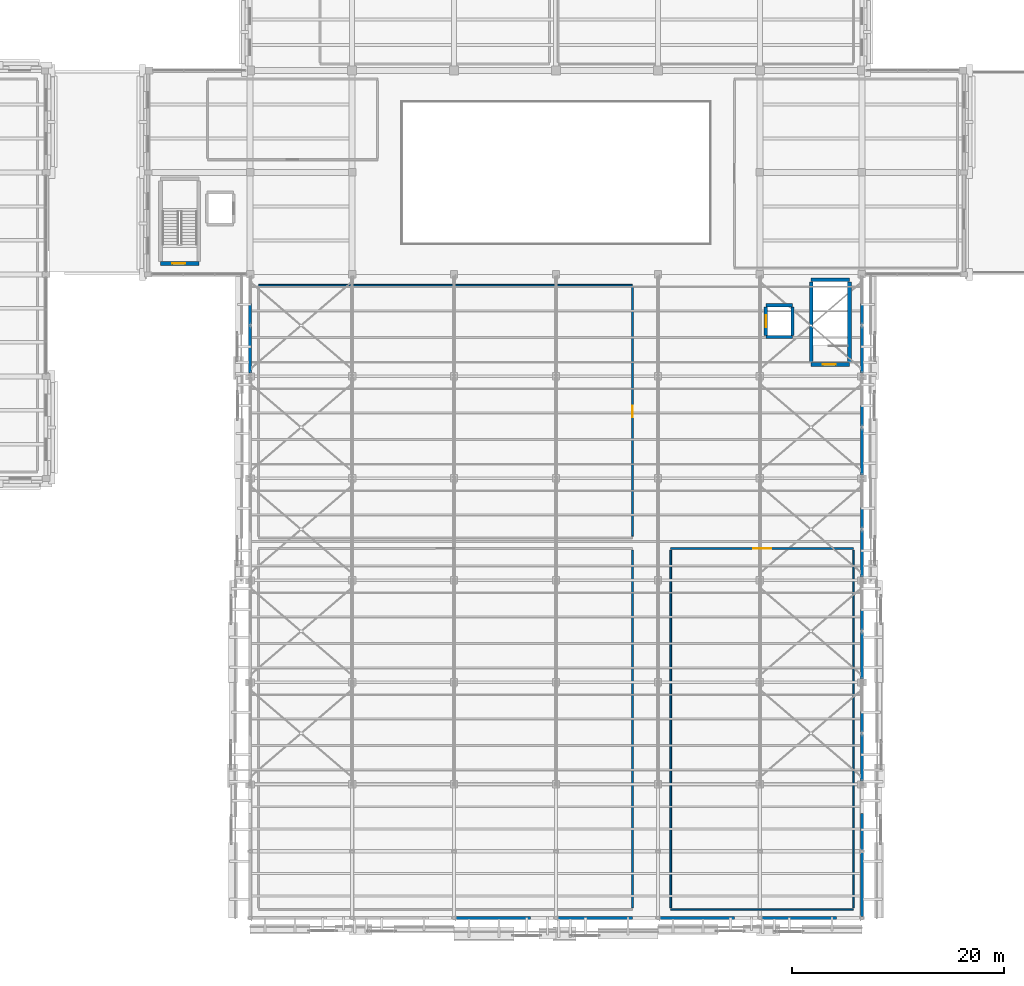
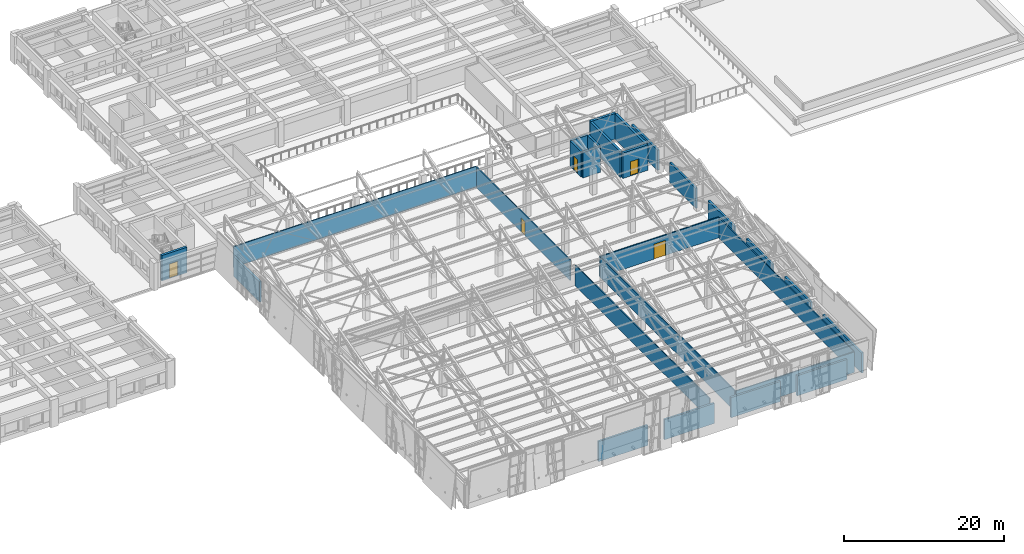
# One storey, part 56 of 71: 27 walls, 5 doors, 5 openings.
"""IFC4 building model written with IfcOpenShell, lengths in metres."""

from ifc_helpers import new_model, si_unit, direction, frame, frame_2d, origin, place, context, subcontext, project, spatial, rectangle, extrude, material, layer, layer_set, type_object, element, fill, save


model = new_model("IFC4")

# Units and contexts
model_context = context("Model", 3, precision=1e-05, world=origin(), true_north=direction((0.0, 1.0)))
body_context = subcontext(model_context, "Body", "Model", "MODEL_VIEW")
ifc_project = project(units=[si_unit("LENGTHUNIT", "METRE"), si_unit("AREAUNIT", "SQUARE_METRE"), si_unit("VOLUMEUNIT", "CUBIC_METRE"), si_unit("PLANEANGLEUNIT", "RADIAN"), si_unit("MASSUNIT", "GRAM", prefix="KILO")], contexts=[model_context])

# Site, building, storey
site_placement = place(None, origin())
site = spatial("IfcSite", under=ifc_project, at=site_placement, CompositionType="ELEMENT")
building_placement = place(site_placement, origin())
building = spatial("IfcBuilding", under=site, at=building_placement, Name="Bempovik Park Faculty of Sciences", CompositionType="ELEMENT")
storey_placement = place(building_placement, frame((0.0, 0.0, 14.10009765625)))
storey = spatial("IfcBuildingStorey", under=building, at=storey_placement, Name="L03", CompositionType="ELEMENT", Elevation=14.10009765625)

# Walls
ifc_material_1 = material(Name="Precast concrete C40/50", Category="concrete")
ifc_layer_1 = layer(ifc_material_1, 0.280029296875)
ifc_layer_set_1 = layer_set([ifc_layer_1], Name="Precast concrete C40/50")
wall_type_1 = type_object("IfcWallType", Name="W-25 Wall 280mm", PredefinedType="SOLIDWALL", material=ifc_layer_set_1)
wall_1_placement = place(storey_placement, frame((117.60009765625, 7.344970703125, 0.0), z_axis=(0.0, 0.0, 1.0), x_axis=(0.0, 1.0, 0.0)))
element("IfcWall", 1, at=wall_1_placement, inside=storey, type_object=wall_type_1, Name="L03 Crystal Backup Wall EW-CRYS-L03-8676", PredefinedType="SOLIDWALL", context=body_context, shape_type="SweptSolid", body=[
    extrude(rectangle(XDim=9.72412109375, YDim=0.280029296875, at=frame_2d((4.862060546875, 0.0))), origin(), (0.0, 0.0, 1.0), 3.079833984375),
])
for number, where, z_axis, x_axis, name in (
    (2, (117.60009765625, 20.126953125, 0.0), (0.0, 0.0, 1.0), (0.0, 1.0, 0.0), "L03 Crystal Backup Wall EW-CRYS-L03-8701"),
    (3, (117.60009765625, 29.72705078125, 0.0), (0.0, 0.0, 1.0), (0.0, 1.0, 0.0), "L03 Crystal Backup Wall EW-CRYS-L03-8726"),
    (4, (117.60009765625, 39.326904296875, 0.0), (0.0, 0.0, 1.0), (0.0, 1.0, 0.0), "L03 Crystal Backup Wall EW-CRYS-L03-8751"),
    (5, (117.60009765625, 48.927001953125, 0.0), (0.0, 0.0, 1.0), (0.0, 1.0, 0.0), "L03 Crystal Backup Wall EW-CRYS-L03-8776"),
):
    element("IfcWall", number, at=place(storey_placement, frame(where, z_axis=z_axis, x_axis=x_axis)), inside=storey, type_object=wall_type_1, Name=name, PredefinedType="SOLIDWALL", context=body_context, shape_type="SweptSolid", body=[
        extrude(rectangle(XDim=6.5419921875, YDim=0.280029296875, at=frame_2d((3.27099609375, 0.0))), origin(), (0.0, 0.0, 1.0), 3.079833984375),
    ])
wall_2_placement = place(storey_placement, frame((117.60009765625, 58.527099609375, 0.0), z_axis=(0.0, 0.0, 1.0), x_axis=(0.0, 1.0, 0.0)))
element("IfcWall", 6, at=wall_2_placement, inside=storey, type_object=wall_type_1, Name="L03 Crystal Backup Wall EW-CRYS-L03-8801", PredefinedType="SOLIDWALL", context=body_context, shape_type="SweptSolid", body=[
    extrude(rectangle(XDim=6.516845703125, YDim=0.280029296875, at=frame_2d((3.25830078125, 0.0))), origin(), (0.0, 0.0, 1.0), 3.079833984375),
])
wall_3_placement = place(storey_placement, frame((79.201904296875, 7.199951171875, 0.0), z_axis=(0.0, 0.0, 1.0), x_axis=(1.0, 0.0, 0.0)))
element("IfcWall", 7, at=wall_3_placement, inside=storey, type_object=wall_type_1, Name="L03 Crystal Backup Wall EW-CRYS-L03-8876", PredefinedType="SOLIDWALL", context=body_context, shape_type="SweptSolid", body=[
    extrude(rectangle(XDim=7.192138671875, YDim=0.280029296875, at=frame_2d((3.59619140625, 0.0))), origin(), (0.0, 0.0, 1.0), 3.079833984375),
])
for number, where, z_axis, x_axis, name in (
    (8, (88.802001953125, 7.199951171875, 0.0), (0.0, 0.0, 1.0), (1.0, 0.0, 0.0), "L03 Crystal Backup Wall EW-CRYS-L03-8901"),
    (9, (98.402099609375, 7.199951171875, 0.0), (0.0, 0.0, 1.0), (1.0, 0.0, 0.0), "L03 Crystal Backup Wall EW-CRYS-L03-8926"),
):
    element("IfcWall", number, at=place(storey_placement, frame(where, z_axis=z_axis, x_axis=x_axis)), inside=storey, type_object=wall_type_1, Name=name, PredefinedType="SOLIDWALL", context=body_context, shape_type="SweptSolid", body=[
        extrude(rectangle(XDim=7.19189453125, YDim=0.280029296875, at=frame_2d((3.595947265625, 0.0))), origin(), (0.0, 0.0, 1.0), 3.079833984375),
    ])
wall_4_placement = place(storey_placement, frame((108.001953125, 7.199951171875, 0.0), z_axis=(0.0, 0.0, 1.0), x_axis=(1.0, 0.0, 0.0)))
element("IfcWall", 10, at=wall_4_placement, inside=storey, type_object=wall_type_1, Name="L03 Crystal Backup Wall EW-CRYS-L03-8951", PredefinedType="SOLIDWALL", context=body_context, shape_type="SweptSolid", body=[
    extrude(rectangle(XDim=7.192138671875, YDim=0.280029296875, at=frame_2d((3.59619140625, 0.0))), origin(), (0.0, 0.0, 1.0), 3.079833984375),
])
wall_5_placement = place(storey_placement, frame((60.0, 58.527099609375, 0.0), z_axis=(0.0, 0.0, 1.0), x_axis=(0.0, 1.0, 0.0)))
element("IfcWall", 11, at=wall_5_placement, inside=storey, type_object=wall_type_1, Name="L03 Crystal Backup Wall EW-CRYS-L03-9101", PredefinedType="SOLIDWALL", context=body_context, shape_type="SweptSolid", body=[
    extrude(rectangle(XDim=6.516845703125, YDim=0.280029296875, at=frame_2d((3.25830078125, 0.0))), origin(), (0.0, 0.0, 1.0), 3.079833984375),
])
ifc_material_2 = material(Name="Concrete C40/50", Category="concrete")
ifc_layer_2 = layer(ifc_material_2, 0.300048828125)
ifc_layer_set_2 = layer_set([ifc_layer_2], Name="Concrete C40/50")
wall_type_2 = type_object("IfcWallType", Name="W-31 Wall 300mm", PredefinedType="SHEAR", material=ifc_layer_set_2)
for number, where, z_axis, x_axis, name in (
    (12, (108.550048828125, 61.89990234375, 0.0), (0.0, 0.0, 1.0), (1.0, 0.0, 0.0), "Lift LF-4 L03 Shaft Wall South"),
    (13, (108.550048828125, 64.89990234375, 0.0), (0.0, 0.0, 1.0), (1.0, 0.0, 0.0), "Lift LF-4 L03 Shaft Wall North"),
):
    element("IfcWall", number, at=place(storey_placement, frame(where, z_axis=z_axis, x_axis=x_axis)), inside=storey, type_object=wall_type_2, Name=name, PredefinedType="SHEAR", context=body_context, shape_type="SweptSolid", body=[
        extrude(rectangle(XDim=2.5, YDim=0.300048828125, at=frame_2d((1.25, 0.0))), origin(), (0.0, 0.0, 1.0), 3.89990234375),
    ])

# Wall, opening, door
wall_6_placement = place(storey_placement, frame((108.550048828125, 62.050048828125, 0.0), z_axis=(0.0, 0.0, 1.0), x_axis=(0.0, 1.0, 0.0)))
wall_6 = element("IfcWall", 14, at=wall_6_placement, inside=storey, type_object=wall_type_2, Name="Lift LF-4 L03 Shaft Wall West", PredefinedType="SHEAR", context=body_context, shape_type="SweptSolid", body=[
    extrude(rectangle(XDim=2.699951171875, YDim=0.300048828125, at=frame_2d((1.35009765625, 0.0))), origin(), (0.0, 0.0, 1.0), 3.89990234375),
])
opening_1_placement = place(wall_6_placement, frame((0.800048828125, 0.0, 0.0)))
opening_1 = element("IfcOpeningElement", 15, at=opening_1_placement, cuts=wall_6, Name="Opening LD-02", PredefinedType="OPENING", context=body_context, shape_type="SweptSolid", body=[
    extrude(rectangle(XDim=1.10009765625, YDim=2.199951171875, at=frame_2d((0.550048828125, 1.10009765625))), frame((0.0, 0.16015625, 0.0), z_axis=(0.0, -1.0, 0.0), x_axis=(1.0, 0.0, 0.0)), (0.0, 0.0, 1.0), 0.320068359375),
])
ifc_material_3 = material(Name="Anodised aluminium", Category="aluminium")
door_type_1 = type_object("IfcDoorType", Name="LD-02 Door 1100x2200", OperationType="NOTDEFINED", PredefinedType="DOOR", material=ifc_material_3)
door_1_placement = place(opening_1_placement, origin())
door_1 = element("IfcDoor", 16, at=door_1_placement, inside=storey, type_object=door_type_1, Name="Lift LF-4 L03 Sliding Landing Door", OperationType="SLIDING_TO_LEFT", OverallHeight=2.199951171875, OverallWidth=1.10009765625, PredefinedType="DOOR", context=body_context, shape_type="SweptSolid", body=[
    extrude(rectangle(XDim=1.10009765625, YDim=2.199951171875, at=frame_2d((0.550048828125, 1.10009765625))), frame((0.0, 0.02490234375, 0.0), z_axis=(0.0, -1.0, 0.0), x_axis=(1.0, 0.0, 0.0)), (0.0, 0.0, 1.0), 0.050048828125),
])
fill(opening_1, door_1)

# Walls
wall_7_placement = place(storey_placement, frame((111.050048828125, 62.050048828125, 0.0), z_axis=(0.0, 0.0, 1.0), x_axis=(0.0, 1.0, 0.0)))
element("IfcWall", 17, at=wall_7_placement, inside=storey, type_object=wall_type_2, Name="Lift LF-4 L03 Shaft Wall East", PredefinedType="SHEAR", context=body_context, shape_type="SweptSolid", body=[
    extrude(rectangle(XDim=2.699951171875, YDim=0.300048828125, at=frame_2d((1.35009765625, 0.0))), origin(), (0.0, 0.0, 1.0), 3.89990234375),
])
ifc_material_4 = material(Name="Gypsum acoustic stud assembly")
ifc_layer_3 = layer(ifc_material_4, 0.14990234375)
ifc_layer_set_3 = layer_set([ifc_layer_3], Name="Gypsum acoustic stud assembly")
wall_type_3 = type_object("IfcWallType", Name="W-42 Wall 150mm", PredefinedType="PARTITIONING", material=ifc_layer_set_3)
wall_8_placement = place(storey_placement, frame((96.0, 8.159912109375, 0.0), z_axis=(0.0, 0.0, 1.0), x_axis=(0.0, 1.0, 0.0)))
element("IfcWall", 18, at=wall_8_placement, inside=storey, type_object=wall_type_3, Name="L03 North-Light Grand Science Reading Hall Partition East", PredefinedType="PARTITIONING", context=body_context, shape_type="SweptSolid", body=[
    extrude(rectangle(XDim=33.68017578125, YDim=0.14990234375, at=frame_2d((16.840087890625, 0.0))), origin(), (0.0, 0.0, 1.0), 3.14990234375),
])
wall_9_placement = place(storey_placement, frame((99.60009765625, 8.0, 0.0), z_axis=(0.0, 0.0, 1.0), x_axis=(1.0, 0.0, 0.0)))
element("IfcWall", 19, at=wall_9_placement, inside=storey, type_object=wall_type_3, Name="L03 Special Collections Reading Room Partition South", PredefinedType="PARTITIONING", context=body_context, shape_type="SweptSolid", body=[
    extrude(rectangle(XDim=17.199951171875, YDim=0.14990234375, at=frame_2d((8.60009765625, 0.0))), origin(), (0.0, 0.0, 1.0), 3.14990234375),
])

# Wall, opening, door
wall_10_placement = place(storey_placement, frame((99.60009765625, 42.0, 0.0), z_axis=(0.0, 0.0, 1.0), x_axis=(1.0, 0.0, 0.0)))
wall_10 = element("IfcWall", 20, at=wall_10_placement, inside=storey, type_object=wall_type_3, Name="L03 Special Collections Reading Room Partition North", PredefinedType="PARTITIONING", context=body_context, shape_type="SweptSolid", body=[
    extrude(rectangle(XDim=17.199951171875, YDim=0.14990234375, at=frame_2d((8.60009765625, 0.0))), origin(), (0.0, 0.0, 1.0), 3.14990234375),
])
opening_2_placement = place(wall_10_placement, frame((7.75, 0.0, 0.0)))
opening_2 = element("IfcOpeningElement", 21, at=opening_2_placement, cuts=wall_10, Name="Opening D-40", PredefinedType="OPENING", context=body_context, shape_type="SweptSolid", body=[
    extrude(rectangle(XDim=1.699951171875, YDim=2.300048828125, at=frame_2d((0.85009765625, 1.14990234375))), frame((0.0, 0.0849609375, 0.0), z_axis=(0.0, -1.0, 0.0), x_axis=(1.0, 0.0, 0.0)), (0.0, 0.0, 1.0), 0.169921875),
])
ifc_material_5 = material(Name="Anodised architectural bronze")
door_type_2 = type_object("IfcDoorType", Name="D-40 Door 1700x2300", OperationType="NOTDEFINED", PredefinedType="DOOR", material=ifc_material_5)
door_2_placement = place(opening_2_placement, origin())
door_2 = element("IfcDoor", 22, at=door_2_placement, inside=storey, type_object=door_type_2, Name="L03 Special Collections Reading Room Door", OperationType="DOUBLE_DOOR_SINGLE_SWING", OverallHeight=2.300048828125, OverallWidth=1.699951171875, PredefinedType="DOOR", context=body_context, shape_type="SweptSolid", body=[
    extrude(rectangle(XDim=1.699951171875, YDim=2.300048828125, at=frame_2d((0.85009765625, 1.14990234375))), frame((0.0, 0.02490234375, 0.0), z_axis=(0.0, -1.0, 0.0), x_axis=(1.0, 0.0, 0.0)), (0.0, 0.0, 1.0), 0.050048828125),
])
fill(opening_2, door_2)

# Walls
for number, where, z_axis, x_axis, name in (
    (23, (99.60009765625, 8.159912109375, 0.0), (0.0, 0.0, 1.0), (0.0, 1.0, 0.0), "L03 Special Collections Reading Room Partition West"),
    (24, (116.800048828125, 8.159912109375, 0.0), (0.0, 0.0, 1.0), (0.0, 1.0, 0.0), "L03 Special Collections Reading Room Partition East"),
):
    element("IfcWall", number, at=place(storey_placement, frame(where, z_axis=z_axis, x_axis=x_axis)), inside=storey, type_object=wall_type_3, Name=name, PredefinedType="PARTITIONING", context=body_context, shape_type="SweptSolid", body=[
        extrude(rectangle(XDim=33.68017578125, YDim=0.14990234375, at=frame_2d((16.840087890625, 0.0))), origin(), (0.0, 0.0, 1.0), 3.14990234375),
    ])
wall_11_placement = place(storey_placement, frame((60.800048828125, 66.800048828125, 0.0), z_axis=(0.0, 0.0, 1.0), x_axis=(1.0, 0.0, 0.0)))
element("IfcWall", 25, at=wall_11_placement, inside=storey, type_object=wall_type_3, Name="L03 Interdisciplinary Research Seminar Hall Partition North", PredefinedType="PARTITIONING", context=body_context, shape_type="SweptSolid", body=[
    extrude(rectangle(XDim=35.199951171875, YDim=0.14990234375, at=frame_2d((17.60009765625, 0.0))), origin(), (0.0, 0.0, 1.0), 3.14990234375),
])

# Wall, opening, door
wall_12_placement = place(storey_placement, frame((96.0, 43.159912109375, 0.0), z_axis=(0.0, 0.0, 1.0), x_axis=(0.0, 1.0, 0.0)))
wall_12 = element("IfcWall", 26, at=wall_12_placement, inside=storey, type_object=wall_type_3, Name="L03 Interdisciplinary Research Seminar Hall Partition East", PredefinedType="PARTITIONING", context=body_context, shape_type="SweptSolid", body=[
    extrude(rectangle(XDim=23.47998046875, YDim=0.14990234375, at=frame_2d((11.739990234375, 0.0))), origin(), (0.0, 0.0, 1.0), 3.14990234375),
])
opening_3_placement = place(wall_12_placement, frame((11.215087890625, 0.0, 0.0)))
opening_3 = element("IfcOpeningElement", 27, at=opening_3_placement, cuts=wall_12, Name="Opening D-16", PredefinedType="OPENING", context=body_context, shape_type="SweptSolid", body=[
    extrude(rectangle(XDim=1.050048828125, YDim=2.199951171875, at=frame_2d((0.52490234375, 1.10009765625))), frame((0.0, 0.0849609375, 0.0), z_axis=(0.0, -1.0, 0.0), x_axis=(1.0, 0.0, 0.0)), (0.0, 0.0, 1.0), 0.169921875),
])
ifc_material_6 = material(Name="West African hardwood finish", Category="wood")
door_type_3 = type_object("IfcDoorType", Name="D-16 Door 1050x2200", OperationType="NOTDEFINED", PredefinedType="DOOR", material=ifc_material_6)
door_3_placement = place(opening_3_placement, origin())
door_3 = element("IfcDoor", 28, at=door_3_placement, inside=storey, type_object=door_type_3, Name="L03 Interdisciplinary Research Seminar Hall Door", OperationType="SINGLE_SWING_RIGHT", OverallHeight=2.199951171875, OverallWidth=1.050048828125, PredefinedType="DOOR", context=body_context, shape_type="SweptSolid", body=[
    extrude(rectangle(XDim=1.050048828125, YDim=2.199951171875, at=frame_2d((0.52490234375, 1.10009765625))), frame((0.0, 0.02490234375, 0.0), z_axis=(0.0, -1.0, 0.0), x_axis=(1.0, 0.0, 0.0)), (0.0, 0.0, 1.0), 0.050048828125),
])
fill(opening_3, door_3)

ifc_layer_4 = layer(ifc_material_2, 0.35009765625)
ifc_layer_set_4 = layer_set([ifc_layer_4], Name="Concrete C40/50")
wall_type_4 = type_object("IfcWallType", Name="W-46 Wall 350mm", PredefinedType="SHEAR", material=ifc_layer_set_4)
wall_13_placement = place(storey_placement, frame((51.574951171875, 68.824951171875, 0.0), z_axis=(0.0, 0.0, 1.0), x_axis=(1.0, 0.0, 0.0)))
wall_13 = element("IfcWall", 29, at=wall_13_placement, inside=storey, type_object=wall_type_4, Name="ST-4 L03 Core Shear Wall South", PredefinedType="SHEAR", context=body_context, shape_type="SweptSolid", body=[
    extrude(rectangle(XDim=3.60009765625, YDim=0.35009765625, at=frame_2d((1.800048828125, 0.0))), origin(), (0.0, 0.0, 1.0), 3.89990234375),
])
opening_4_placement = place(wall_13_placement, frame((1.10009765625, 0.0, 0.0)))
opening_4 = element("IfcOpeningElement", 30, at=opening_4_placement, cuts=wall_13, Name="Opening D-49", PredefinedType="OPENING", context=body_context, shape_type="SweptSolid", body=[
    extrude(rectangle(XDim=1.199951171875, YDim=2.199951171875, at=frame_2d((0.60009765625, 1.10009765625))), frame((0.0, 0.18505859375, 0.0), z_axis=(0.0, -1.0, 0.0), x_axis=(1.0, 0.0, 0.0)), (0.0, 0.0, 1.0), 0.3701171875),
])
ifc_material_7 = material(Name="Painted steel S355", Category="steel")
door_type_4 = type_object("IfcDoorType", Name="D-49 Door 1200x2200", OperationType="NOTDEFINED", PredefinedType="DOOR", material=ifc_material_7)
door_4_placement = place(opening_4_placement, origin())
door_4 = element("IfcDoor", 31, at=door_4_placement, inside=storey, type_object=door_type_4, Name="ST-4 L03 Protected Stair Smoke Door", OperationType="SINGLE_SWING_RIGHT", OverallHeight=2.199951171875, OverallWidth=1.199951171875, PredefinedType="DOOR", context=body_context, shape_type="SweptSolid", body=[
    extrude(rectangle(XDim=1.199951171875, YDim=2.199951171875, at=frame_2d((0.60009765625, 1.10009765625))), frame((0.0, 0.02490234375, 0.0), z_axis=(0.0, -1.0, 0.0), x_axis=(1.0, 0.0, 0.0)), (0.0, 0.0, 1.0), 0.050048828125),
])
fill(opening_4, door_4)

wall_14_placement = place(storey_placement, frame((112.824951171875, 59.324951171875, 0.0), z_axis=(0.0, 0.0, 1.0), x_axis=(1.0, 0.0, 0.0)))
wall_14 = element("IfcWall", 32, at=wall_14_placement, inside=storey, type_object=wall_type_4, Name="ST-5 L03 Core Shear Wall South", PredefinedType="SHEAR", context=body_context, shape_type="SweptSolid", body=[
    extrude(rectangle(XDim=3.60009765625, YDim=0.35009765625, at=frame_2d((1.800048828125, 0.0))), origin(), (0.0, 0.0, 1.0), 3.89990234375),
])
opening_5_placement = place(wall_14_placement, frame((1.10009765625, 0.0, 0.0)))
opening_5 = element("IfcOpeningElement", 33, at=opening_5_placement, cuts=wall_14, Name="Opening D-49", PredefinedType="OPENING", context=body_context, shape_type="SweptSolid", body=[
    extrude(rectangle(XDim=1.199951171875, YDim=2.199951171875, at=frame_2d((0.60009765625, 1.10009765625))), frame((0.0, 0.18505859375, 0.0), z_axis=(0.0, -1.0, 0.0), x_axis=(1.0, 0.0, 0.0)), (0.0, 0.0, 1.0), 0.3701171875),
])
door_5_placement = place(opening_5_placement, origin())
door_5 = element("IfcDoor", 34, at=door_5_placement, inside=storey, type_object=door_type_4, Name="ST-5 L03 Protected Stair Smoke Door", OperationType="SINGLE_SWING_RIGHT", OverallHeight=2.199951171875, OverallWidth=1.199951171875, PredefinedType="DOOR", context=body_context, shape_type="SweptSolid", body=[
    extrude(rectangle(XDim=1.199951171875, YDim=2.199951171875, at=frame_2d((0.60009765625, 1.10009765625))), frame((0.0, 0.02490234375, 0.0), z_axis=(0.0, -1.0, 0.0), x_axis=(1.0, 0.0, 0.0)), (0.0, 0.0, 1.0), 0.050048828125),
])
fill(opening_5, door_5)

# Walls
for number, where, z_axis, x_axis, name in (
    (35, (112.824951171875, 59.52490234375, 0.0), (0.0, 0.0, 1.0), (0.0, 1.0, 0.0), "ST-5 L03 Core Shear Wall West"),
    (36, (116.425048828125, 59.52490234375, 0.0), (0.0, 0.0, 1.0), (0.0, 1.0, 0.0), "ST-5 L03 Core Shear Wall East"),
):
    element("IfcWall", number, at=place(storey_placement, frame(where, z_axis=z_axis, x_axis=x_axis)), inside=storey, type_object=wall_type_4, Name=name, PredefinedType="SHEAR", context=body_context, shape_type="SweptSolid", body=[
        extrude(rectangle(XDim=7.5751953125, YDim=0.35009765625, at=frame_2d((3.78759765625, 0.0))), origin(), (0.0, 0.0, 1.0), 3.89990234375),
    ])
wall_15_placement = place(storey_placement, frame((112.824951171875, 67.300048828125, 0.0), z_axis=(0.0, 0.0, 1.0), x_axis=(1.0, 0.0, 0.0)))
element("IfcWall", 37, at=wall_15_placement, inside=storey, type_object=wall_type_4, Name="ST-5 L03 Core Shear Wall North", PredefinedType="SHEAR", context=body_context, shape_type="SweptSolid", body=[
    extrude(rectangle(XDim=3.60009765625, YDim=0.35009765625, at=frame_2d((1.800048828125, 0.0))), origin(), (0.0, 0.0, 1.0), 3.89990234375),
])

save(model, "model.ifc")
